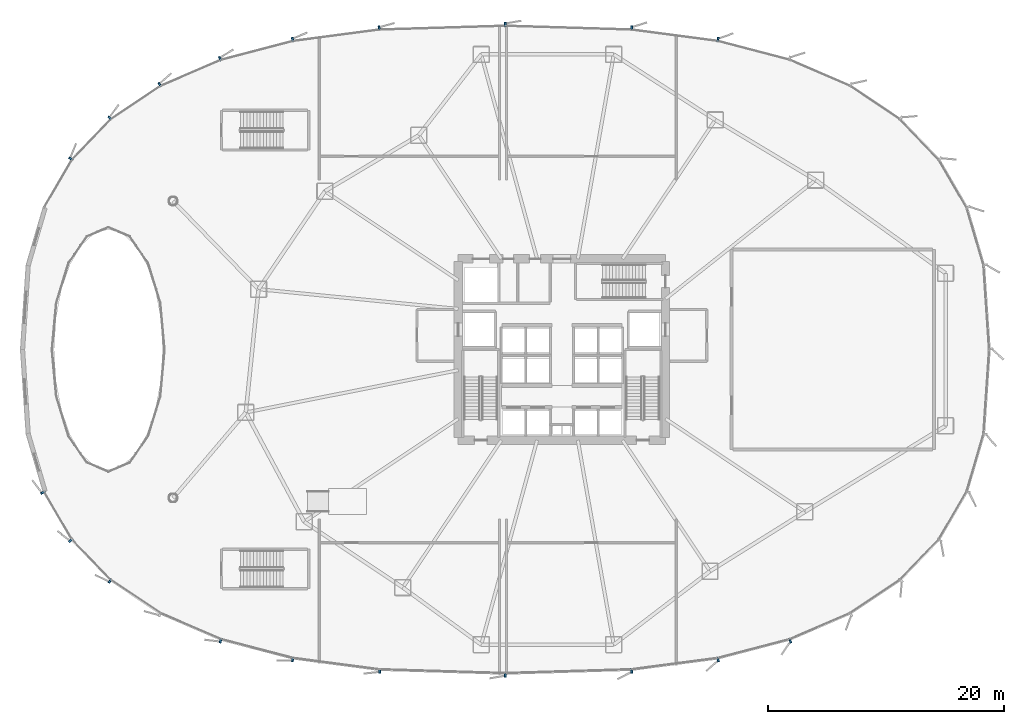
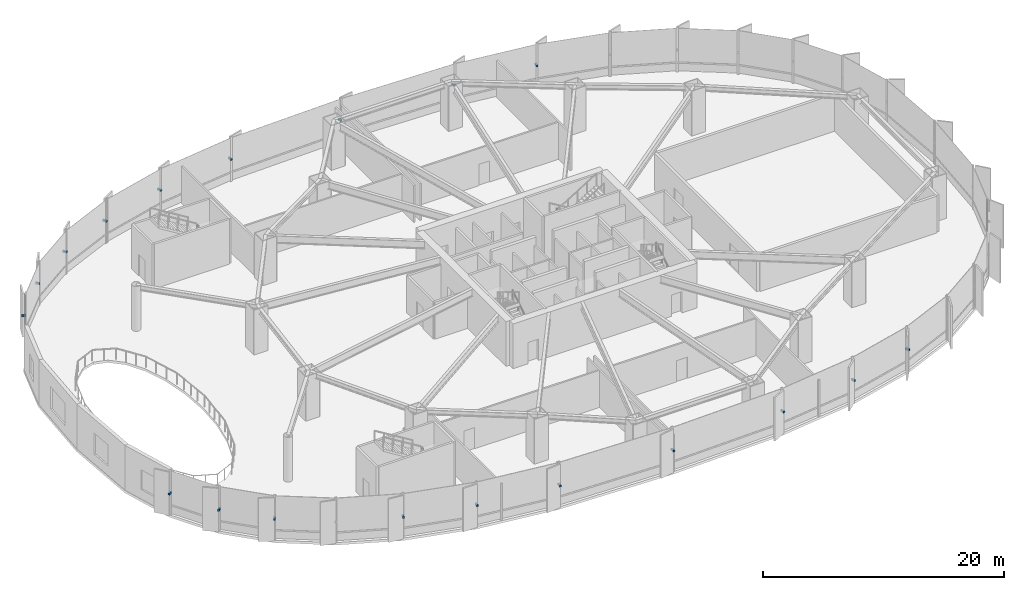
# One storey, part 26 of 33: 19 discrete accessories.
"""IFC4 building model written with IfcOpenShell, lengths in metres."""

import ifcopenshell
import ifcopenshell.guid

model = None  # the IFC model being written
_history = None  # IfcOwnerHistory: only IFC2X3 demands one
_inside = {}  # id of a spatial element -> (the spatial element, [elements in it])
_under = {}  # id of a project, library or spatial element -> (it, [spatial elements below it])
_declared = {}  # id of a project -> (the project, [libraries it declares])
_typed = {}  # id of a type object -> (the type object, [elements of that type])
_made_of = {}  # id of a material, layer set ... -> (it, [elements and type objects made of it])


def new_model(schema):
    """Start an empty IFC model of exactly this schema.

    Asked for "IFC4X3", IfcOpenShell would pick the latest addendum, in which some entities
    have other attributes; the version numbers below select the first issue.
    IFC2X3 requires an IfcOwnerHistory on every rooted entity: one is made here for all.
    """
    global model, _history
    if schema == "IFC4X3":
        model = ifcopenshell.file(schema_version=(4, 3, 0, 0))
    else:
        model = ifcopenshell.file(schema=schema)
    _inside.clear()
    _under.clear()
    _declared.clear()
    _typed.clear()
    _made_of.clear()
    _history = None
    if model.schema == "IFC2X3":
        org = make("IfcOrganization", Name="unknown")
        user = make(
            "IfcPersonAndOrganization",
            ThePerson=make("IfcPerson", FamilyName="unknown"),
            TheOrganization=org,
        )
        app = make(
            "IfcApplication",
            ApplicationDeveloper=org,
            Version="unknown",
            ApplicationFullName="unknown",
            ApplicationIdentifier="unknown",
        )
        _history = make(
            "IfcOwnerHistory",
            OwningUser=user,
            OwningApplication=app,
            ChangeAction="ADDED",
            CreationDate=0,
        )
    return model


def make(cls, **values):
    """One entity of the class cls with the attributes given. An attribute that is None is left unset."""
    return model.create_entity(
        cls, **{name: value for name, value in values.items() if value is not None}
    )


def rooted(cls, **values):
    """An entity with a GlobalId (a new one), such as an element, a storey or a relation."""
    return make(cls, GlobalId=ifcopenshell.guid.new(), OwnerHistory=_history, **values)


def si_unit(unit_type, name, prefix=None):
    """IfcSIUnit, for example si_unit("LENGTHUNIT", "METRE", prefix="MILLI")."""
    return make("IfcSIUnit", UnitType=unit_type, Prefix=prefix, Name=name)


def assignment(units):
    """IfcUnitAssignment: the units of a project."""
    return None if units is None else make("IfcUnitAssignment", Units=units)


def point(xyz):
    """IfcCartesianPoint."""
    return None if xyz is None else make("IfcCartesianPoint", Coordinates=xyz)


def direction(xyz):
    """IfcDirection."""
    return None if xyz is None else make("IfcDirection", DirectionRatios=xyz)


def frame(location, z_axis=None, x_axis=None):
    """IfcAxis2Placement3D, a coordinate frame: its origin and axes. An axis left out is left unset."""
    return make(
        "IfcAxis2Placement3D",
        Location=point(location),
        Axis=direction(z_axis),
        RefDirection=direction(x_axis),
    )


def frame_2d(location, x_axis=None):
    """IfcAxis2Placement2D, a coordinate frame in the plane: its origin and x axis."""
    return make(
        "IfcAxis2Placement2D", Location=point(location), RefDirection=direction(x_axis)
    )


def origin():
    """The frame at (0, 0, 0) with its axes left unset."""
    return frame((0.0, 0.0, 0.0))


def origin_2d():
    """The frame at (0, 0) in the plane with its x axis left unset."""
    return frame_2d((0.0, 0.0))


def place(relative_to, where):
    """IfcLocalPlacement: puts the frame where relative to a parent placement (None: the world)."""
    return make(
        "IfcLocalPlacement", PlacementRelTo=relative_to, RelativePlacement=where
    )


def context(
    kind, dimensions, precision=None, world=None, true_north=None, identifier=None
):
    """IfcGeometricRepresentationContext, for example the 3D "Model" context."""
    return make(
        "IfcGeometricRepresentationContext",
        ContextIdentifier=identifier,
        ContextType=kind,
        CoordinateSpaceDimension=dimensions,
        Precision=precision,
        WorldCoordinateSystem=world,
        TrueNorth=true_north,
    )


def subcontext(parent, identifier, kind, view, scale=None):
    """IfcGeometricRepresentationSubContext, for example "Body" below "Model"."""
    return make(
        "IfcGeometricRepresentationSubContext",
        ContextIdentifier=identifier,
        ContextType=kind,
        ParentContext=parent,
        TargetScale=scale,
        TargetView=view,
    )


def project(units=None, contexts=None):
    """IfcProject with its units and contexts."""
    return rooted(
        "IfcProject",
        Name="project",
        RepresentationContexts=contexts,
        UnitsInContext=assignment(units),
    )


def spatial(cls, under=None, at=None, **own):
    """A site, building, storey or space (cls), placed at a placement, below another one or the project."""
    s = rooted(cls, ObjectPlacement=at, **own)
    if under is not None:
        _under.setdefault(under.id(), (under, []))[1].append(s)
    return s


def profile(cls, at=None, kind="AREA", **sizes):
    """A parametric profile (cls). Its sizes go by their IFC names, for example OverallWidth=200.0."""
    return make(cls, ProfileType=kind, Position=at, **sizes)


def rectangle(**sizes):
    """IfcRectangleProfileDef."""
    return profile("IfcRectangleProfileDef", **sizes)


def extrude(swept, where, along, depth):
    """IfcExtrudedAreaSolid: the profile swept, set in the frame where, extruded along a direction by depth."""
    return make(
        "IfcExtrudedAreaSolid",
        SweptArea=swept,
        Position=where,
        ExtrudedDirection=direction(along),
        Depth=depth,
    )


def shape(context_of_items, identifier, shape_type, items):
    """IfcShapeRepresentation: the items that make up one representation, for example the "Body"."""
    return make(
        "IfcShapeRepresentation",
        ContextOfItems=context_of_items,
        RepresentationIdentifier=identifier,
        RepresentationType=shape_type,
        Items=items,
    )


def source(mapping_origin, context_of_items, identifier, shape_type, items):
    """IfcRepresentationMap: a shape defined once, which mapped items show again and again."""
    return make(
        "IfcRepresentationMap",
        MappingOrigin=mapping_origin,
        MappedRepresentation=shape(context_of_items, identifier, shape_type, items),
    )


def transform(
    local_origin,
    x_axis=None,
    y_axis=None,
    z_axis=None,
    scale=None,
    scale2=None,
    scale3=None,
    uniform=True,
):
    """IfcCartesianTransformationOperator3D, or its non-uniform kind. x_axis, y_axis, z_axis: its Axis1, 2, 3."""
    if uniform:
        return make(
            "IfcCartesianTransformationOperator3D",
            Axis1=direction(x_axis),
            Axis2=direction(y_axis),
            LocalOrigin=point(local_origin),
            Scale=scale,
            Axis3=direction(z_axis),
        )
    return make(
        "IfcCartesianTransformationOperator3DnonUniform",
        Axis1=direction(x_axis),
        Axis2=direction(y_axis),
        LocalOrigin=point(local_origin),
        Scale=scale,
        Axis3=direction(z_axis),
        Scale2=scale2,
        Scale3=scale3,
    )


def mapped(mapping_source, mapping_target):
    """IfcMappedItem: shows the shape of a source again, moved by a transform."""
    return make(
        "IfcMappedItem", MappingSource=mapping_source, MappingTarget=mapping_target
    )


def material(Name=None, Category=None):
    """IfcMaterial."""
    return make("IfcMaterial", Name=Name, Category=Category)


def made_of(thing, what):
    """Note that an element or type object is made of a material, layer set ...; save() writes the relation."""
    if what is not None:
        _made_of.setdefault(what.id(), (what, []))[1].append(thing)
    return thing


def type_object(cls, material=None, **own):
    """A type object (cls), such as IfcWallType, which elements share."""
    return made_of(rooted(cls, **own), material)


def element(
    cls,
    number,
    at=None,
    inside=None,
    cuts=None,
    type_object=None,
    material=None,
    context=None,
    identifier="Body",
    shape_type=None,
    held_by="IfcProductDefinitionShape",
    body=None,
    shapes=None,
    **own,
):
    """One element of the class cls, such as IfcWall. Its Tag is "e" and its number.

    at: its placement. inside: the storey or other place that contains it. cuts: it is an
    opening in that element (IfcRelVoidsElement). A single representation is given by context,
    identifier, shape_type and body (its items); several are given by shapes. held_by: the class
    of the entity that holds the representations. save() writes the other relations.
    """
    e = rooted(cls, Tag="e%d" % number, ObjectPlacement=at, **own)
    if body is not None:
        shapes = [shape(context, identifier, shape_type, body)]
    if shapes is not None:
        e.Representation = make(held_by, Representations=shapes)
    if inside is not None:
        _inside.setdefault(inside.id(), (inside, []))[1].append(e)
    if cuts is not None:
        rooted(
            "IfcRelVoidsElement", RelatingBuildingElement=cuts, RelatedOpeningElement=e
        )
    if type_object is not None:
        _typed.setdefault(type_object.id(), (type_object, []))[1].append(e)
    return made_of(e, material)


def aggregate(whole, parts):
    """IfcRelAggregates: a whole, such as a stair, and the parts it consists of."""
    return rooted("IfcRelAggregates", RelatingObject=whole, RelatedObjects=parts)


def save(model, path):
    """Write the relations noted so far, then the file.

    IfcRelAggregates (storeys below a building ...), IfcRelContainedInSpatialStructure (elements
    in a storey), IfcRelDefinesByType, IfcRelAssociatesMaterial and IfcRelDeclares: one each for
    every whole, place, type object, material and project.
    """
    for whole, parts in _under.values():
        aggregate(whole, parts)
    for where, things in _inside.values():
        rooted(
            "IfcRelContainedInSpatialStructure",
            RelatedElements=things,
            RelatingStructure=where,
        )
    for kind, things in _typed.values():
        rooted("IfcRelDefinesByType", RelatedObjects=things, RelatingType=kind)
    for what, things in _made_of.values():
        rooted("IfcRelAssociatesMaterial", RelatedObjects=things, RelatingMaterial=what)
    for by, libraries in _declared.values():
        rooted("IfcRelDeclares", RelatingContext=by, RelatedDefinitions=libraries)
    model.write(path)


model = new_model("IFC4")

# Units and contexts
model_context = context("Model", 3, precision=1e-05, world=origin(), true_north=direction((0.0, 1.0)))
body_context = subcontext(model_context, "Body", "Model", "MODEL_VIEW")
ifc_project = project(units=[si_unit("LENGTHUNIT", "METRE"), si_unit("AREAUNIT", "SQUARE_METRE"), si_unit("VOLUMEUNIT", "CUBIC_METRE"), si_unit("PLANEANGLEUNIT", "RADIAN"), si_unit("MASSUNIT", "GRAM", prefix="KILO"), si_unit("THERMODYNAMICTEMPERATUREUNIT", "KELVIN")], contexts=[model_context])

# Site, building, storey
site_placement = place(None, origin())
site = spatial("IfcSite", under=ifc_project, at=site_placement, CompositionType="ELEMENT")
building_placement = place(site_placement, origin())
building = spatial("IfcBuilding", under=site, at=building_placement, Name="Kethvar Cultural Tower", CompositionType="ELEMENT")
storey_placement = place(building_placement, frame((0.0, 0.0, 10.0)))
storey = spatial("IfcBuildingStorey", under=building, at=storey_placement, Name="L02", CompositionType="ELEMENT", Elevation=10.0)

# Discrete accessories
ifc_material = material(Name="Steel S355J2", Category="steel")
discrete_accessory_type = type_object("IfcDiscreteAccessoryType", Name="Steel Fin Bracket BRK-01", PredefinedType="BRACKET", material=ifc_material)
shared_shape = source(origin(), body_context, "Body", "SweptSolid", [
    extrude(rectangle(XDim=0.3798828125, YDim=0.159912109375, at=origin_2d()), origin(), (0.0, 0.0, 1.0), 0.179931640625),
])
for number, where, z_axis, x_axis, name in (
    (1, (60.05126953125, 54.120361328125, 2.1298828125), (0.0, 0.0, 1.0), (0.130699230003, 0.991422065155, 0.0), "L02 Terracotta Fin Bracket 2.2"),
    (2, (52.71630859375, 55.0869140625, 2.1298828125), (0.0, 0.0, 1.0), (0.030189608314, 0.999544189894, 0.0), "L02 Terracotta Fin Bracket 2.3"),
    (3, (41.999755859375, 55.409912109375, 2.1298828125), (0.0, 0.0, 1.0), (-0.030189608314, 0.999544189894, 0.0), "L02 Terracotta Fin Bracket 2.4"),
    (4, (31.28271484375, 55.0869140625, 2.1298828125), (0.0, 0.0, 1.0), (-0.130699230003, 0.991422065155, 0.0), "L02 Terracotta Fin Bracket 2.5"),
    (5, (23.947509765625, 54.1201171875, 2.1298828125), (0.0, 0.0, 1.0), (-0.253082602519, 0.96744467351, 0.0), "L02 Terracotta Fin Bracket 2.6"),
    (6, (17.778076171875, 52.498779296875, 2.1298828125), (0.0, 0.0, 1.0), (-0.396346847517, 0.9181008531, 0.0), "L02 Terracotta Fin Bracket 3.1"),
    (7, (12.668212890625, 50.292236328125, 2.1298828125), (0.0, 0.0, 1.0), (-0.556585649903, 0.83079023485, 0.0), "L02 Terracotta Fin Bracket 3.2"),
    (8, (8.4296875, 47.452880859375, 2.1298828125), (0.0, 0.0, 1.0), (-0.72055111168, 0.693401828276, 0.0), "L02 Terracotta Fin Bracket 3.3"),
    (9, (5.106689453125, 43.998779296875, 2.1298828125), (0.0, 0.0, 1.0), (-0.864011302865, 0.503472410885, 0.0), "L02 Terracotta Fin Bracket 3.4"),
    (10, (2.74072265625, 15.6611328125, 2.1298828125), (0.0, 0.0, 1.0), (-0.864011302865, -0.503472410885, 0.0), "L02 Terracotta Fin Bracket 4.1"),
    (11, (5.1083984375, 11.59912109375, 2.1298828125), (0.0, 0.0, 1.0), (-0.72055111168, -0.693401828276, 0.0), "L02 Terracotta Fin Bracket 4.2"),
    (12, (8.431396484375, 8.14599609375, 2.1298828125), (0.0, 0.0, 1.0), (-0.556585649903, -0.83079023485, 0.0), "L02 Terracotta Fin Bracket 4.3"),
    (13, (17.82421875, 3.081298828125, 2.1298828125), (0.0, 0.0, 1.0), (-0.253082602519, -0.96744467351, 0.0), "L02 Terracotta Fin Bracket 4.5"),
    (14, (23.94873046875, 1.4794921875, 2.1298828125), (0.0, 0.0, 1.0), (-0.130699230003, -0.991422065155, 0.0), "L02 Terracotta Fin Bracket 4.6"),
    (15, (31.33251953125, 0.51171875, 2.1298828125), (0.0, 0.0, 1.0), (-0.030189608314, -0.999544189894, 0.0), "L02 Terracotta Fin Bracket 5.1"),
    (16, (42.000244140625, 0.18994140625, 2.1298828125), (0.0, 0.0, 1.0), (0.030189608314, -0.999544189894, 0.0), "L02 Terracotta Fin Bracket 5.2"),
    (17, (52.71728515625, 0.51318359375, 2.1298828125), (0.0, 0.0, 1.0), (0.130699230003, -0.991422065155, 0.0), "L02 Terracotta Fin Bracket 5.3"),
    (18, (60.052490234375, 1.47998046875, 2.1298828125), (0.0, 0.0, 1.0), (0.253082602519, -0.96744467351, 0.0), "L02 Terracotta Fin Bracket 5.4"),
    (19, (66.17724609375, 3.081787109375, 2.1298828125), (0.0, 0.0, 1.0), (0.396346847517, -0.9181008531, 0.0), "L02 Terracotta Fin Bracket 5.5"),
):
    element("IfcDiscreteAccessory", number, at=place(storey_placement, frame(where, z_axis=z_axis, x_axis=x_axis)), inside=storey, type_object=discrete_accessory_type, Name=name, PredefinedType="BRACKET", context=body_context, shape_type="MappedRepresentation", body=[
        mapped(shared_shape, transform((0.0, 0.0, 0.0), scale=1.0)),
    ])

save(model, "model.ifc")
